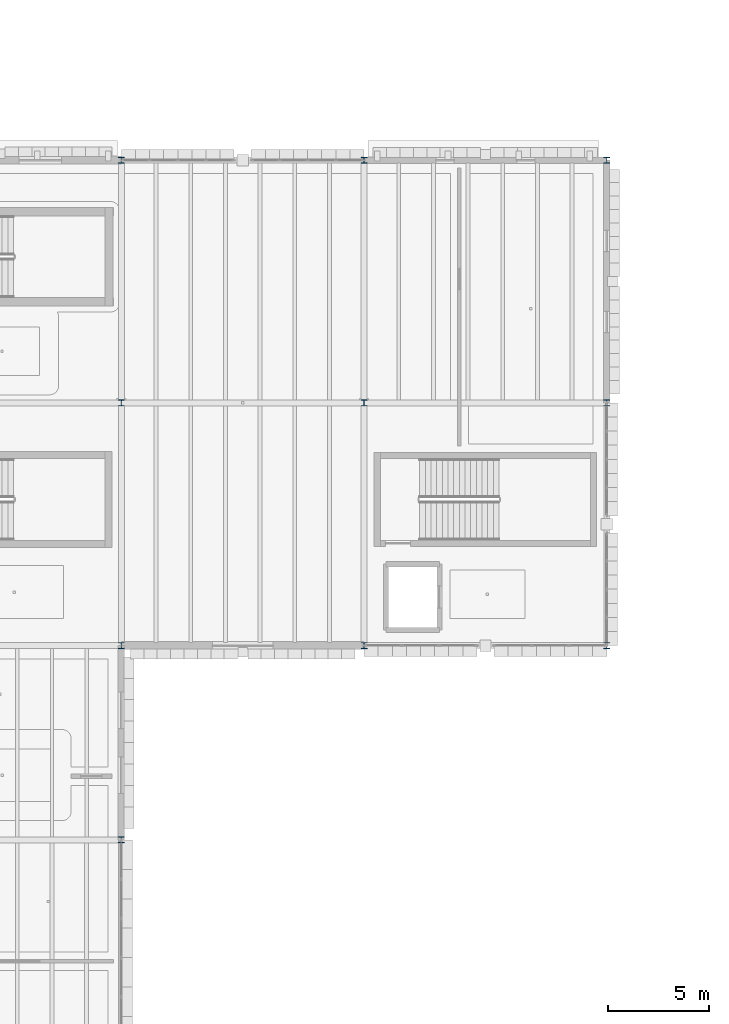
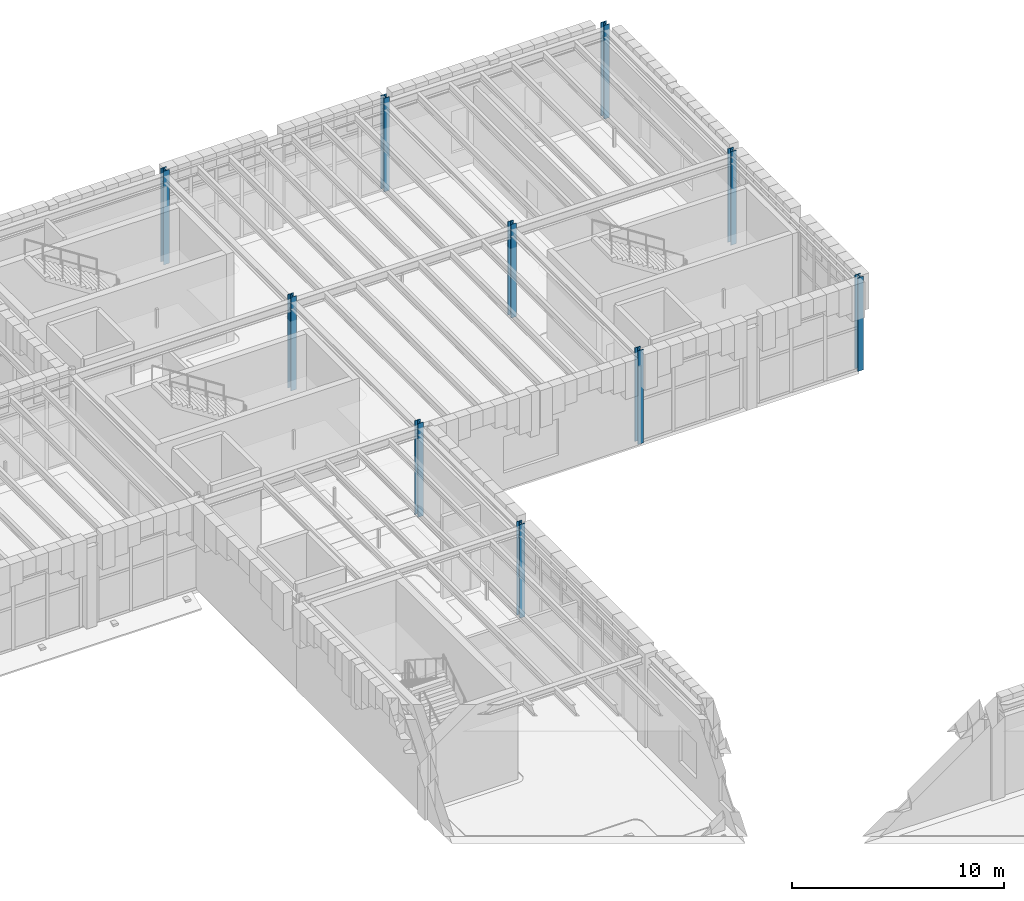
# One storey, part 13 of 100: 10 columns.
"""IFC4 building model written with IfcOpenShell, lengths in metres."""

import ifcopenshell
import ifcopenshell.guid

model = None  # the IFC model being written
_history = None  # IfcOwnerHistory: only IFC2X3 demands one
_inside = {}  # id of a spatial element -> (the spatial element, [elements in it])
_under = {}  # id of a project, library or spatial element -> (it, [spatial elements below it])
_declared = {}  # id of a project -> (the project, [libraries it declares])
_typed = {}  # id of a type object -> (the type object, [elements of that type])
_made_of = {}  # id of a material, layer set ... -> (it, [elements and type objects made of it])


def new_model(schema):
    """Start an empty IFC model of exactly this schema.

    Asked for "IFC4X3", IfcOpenShell would pick the latest addendum, in which some entities
    have other attributes; the version numbers below select the first issue.
    IFC2X3 requires an IfcOwnerHistory on every rooted entity: one is made here for all.
    """
    global model, _history
    if schema == "IFC4X3":
        model = ifcopenshell.file(schema_version=(4, 3, 0, 0))
    else:
        model = ifcopenshell.file(schema=schema)
    _inside.clear()
    _under.clear()
    _declared.clear()
    _typed.clear()
    _made_of.clear()
    _history = None
    if model.schema == "IFC2X3":
        org = make("IfcOrganization", Name="unknown")
        user = make(
            "IfcPersonAndOrganization",
            ThePerson=make("IfcPerson", FamilyName="unknown"),
            TheOrganization=org,
        )
        app = make(
            "IfcApplication",
            ApplicationDeveloper=org,
            Version="unknown",
            ApplicationFullName="unknown",
            ApplicationIdentifier="unknown",
        )
        _history = make(
            "IfcOwnerHistory",
            OwningUser=user,
            OwningApplication=app,
            ChangeAction="ADDED",
            CreationDate=0,
        )
    return model


def make(cls, **values):
    """One entity of the class cls with the attributes given. An attribute that is None is left unset."""
    return model.create_entity(
        cls, **{name: value for name, value in values.items() if value is not None}
    )


def rooted(cls, **values):
    """An entity with a GlobalId (a new one), such as an element, a storey or a relation."""
    return make(cls, GlobalId=ifcopenshell.guid.new(), OwnerHistory=_history, **values)


def si_unit(unit_type, name, prefix=None):
    """IfcSIUnit, for example si_unit("LENGTHUNIT", "METRE", prefix="MILLI")."""
    return make("IfcSIUnit", UnitType=unit_type, Prefix=prefix, Name=name)


def assignment(units):
    """IfcUnitAssignment: the units of a project."""
    return None if units is None else make("IfcUnitAssignment", Units=units)


def point(xyz):
    """IfcCartesianPoint."""
    return None if xyz is None else make("IfcCartesianPoint", Coordinates=xyz)


def direction(xyz):
    """IfcDirection."""
    return None if xyz is None else make("IfcDirection", DirectionRatios=xyz)


def frame(location, z_axis=None, x_axis=None):
    """IfcAxis2Placement3D, a coordinate frame: its origin and axes. An axis left out is left unset."""
    return make(
        "IfcAxis2Placement3D",
        Location=point(location),
        Axis=direction(z_axis),
        RefDirection=direction(x_axis),
    )


def frame_2d(location, x_axis=None):
    """IfcAxis2Placement2D, a coordinate frame in the plane: its origin and x axis."""
    return make(
        "IfcAxis2Placement2D", Location=point(location), RefDirection=direction(x_axis)
    )


def origin():
    """The frame at (0, 0, 0) with its axes left unset."""
    return frame((0.0, 0.0, 0.0))


def origin_2d():
    """The frame at (0, 0) in the plane with its x axis left unset."""
    return frame_2d((0.0, 0.0))


def place(relative_to, where):
    """IfcLocalPlacement: puts the frame where relative to a parent placement (None: the world)."""
    return make(
        "IfcLocalPlacement", PlacementRelTo=relative_to, RelativePlacement=where
    )


def context(
    kind, dimensions, precision=None, world=None, true_north=None, identifier=None
):
    """IfcGeometricRepresentationContext, for example the 3D "Model" context."""
    return make(
        "IfcGeometricRepresentationContext",
        ContextIdentifier=identifier,
        ContextType=kind,
        CoordinateSpaceDimension=dimensions,
        Precision=precision,
        WorldCoordinateSystem=world,
        TrueNorth=true_north,
    )


def subcontext(parent, identifier, kind, view, scale=None):
    """IfcGeometricRepresentationSubContext, for example "Body" below "Model"."""
    return make(
        "IfcGeometricRepresentationSubContext",
        ContextIdentifier=identifier,
        ContextType=kind,
        ParentContext=parent,
        TargetScale=scale,
        TargetView=view,
    )


def project(units=None, contexts=None):
    """IfcProject with its units and contexts."""
    return rooted(
        "IfcProject",
        Name="project",
        RepresentationContexts=contexts,
        UnitsInContext=assignment(units),
    )


def spatial(cls, under=None, at=None, **own):
    """A site, building, storey or space (cls), placed at a placement, below another one or the project."""
    s = rooted(cls, ObjectPlacement=at, **own)
    if under is not None:
        _under.setdefault(under.id(), (under, []))[1].append(s)
    return s


def profile(cls, at=None, kind="AREA", **sizes):
    """A parametric profile (cls). Its sizes go by their IFC names, for example OverallWidth=200.0."""
    return make(cls, ProfileType=kind, Position=at, **sizes)


def i_section(**sizes):
    """IfcIShapeProfileDef."""
    return profile("IfcIShapeProfileDef", **sizes)


def extrude(swept, where, along, depth):
    """IfcExtrudedAreaSolid: the profile swept, set in the frame where, extruded along a direction by depth."""
    return make(
        "IfcExtrudedAreaSolid",
        SweptArea=swept,
        Position=where,
        ExtrudedDirection=direction(along),
        Depth=depth,
    )


def shape(context_of_items, identifier, shape_type, items):
    """IfcShapeRepresentation: the items that make up one representation, for example the "Body"."""
    return make(
        "IfcShapeRepresentation",
        ContextOfItems=context_of_items,
        RepresentationIdentifier=identifier,
        RepresentationType=shape_type,
        Items=items,
    )


def material(Name=None, Category=None):
    """IfcMaterial."""
    return make("IfcMaterial", Name=Name, Category=Category)


def material_profile(
    of_material, cross_section, Name=None, Category=None, Priority=None
):
    """IfcMaterialProfile: a cross section and its material."""
    return make(
        "IfcMaterialProfile",
        Name=Name,
        Material=of_material,
        Profile=cross_section,
        Priority=Priority,
        Category=Category,
    )


def profile_set(profiles, Name=None, composite=None):
    """IfcMaterialProfileSet."""
    return make(
        "IfcMaterialProfileSet",
        Name=Name,
        MaterialProfiles=profiles,
        CompositeProfile=composite,
    )


def made_of(thing, what):
    """Note that an element or type object is made of a material, layer set ...; save() writes the relation."""
    if what is not None:
        _made_of.setdefault(what.id(), (what, []))[1].append(thing)
    return thing


def type_object(cls, material=None, **own):
    """A type object (cls), such as IfcWallType, which elements share."""
    return made_of(rooted(cls, **own), material)


def element(
    cls,
    number,
    at=None,
    inside=None,
    cuts=None,
    type_object=None,
    material=None,
    context=None,
    identifier="Body",
    shape_type=None,
    held_by="IfcProductDefinitionShape",
    body=None,
    shapes=None,
    **own,
):
    """One element of the class cls, such as IfcWall. Its Tag is "e" and its number.

    at: its placement. inside: the storey or other place that contains it. cuts: it is an
    opening in that element (IfcRelVoidsElement). A single representation is given by context,
    identifier, shape_type and body (its items); several are given by shapes. held_by: the class
    of the entity that holds the representations. save() writes the other relations.
    """
    e = rooted(cls, Tag="e%d" % number, ObjectPlacement=at, **own)
    if body is not None:
        shapes = [shape(context, identifier, shape_type, body)]
    if shapes is not None:
        e.Representation = make(held_by, Representations=shapes)
    if inside is not None:
        _inside.setdefault(inside.id(), (inside, []))[1].append(e)
    if cuts is not None:
        rooted(
            "IfcRelVoidsElement", RelatingBuildingElement=cuts, RelatedOpeningElement=e
        )
    if type_object is not None:
        _typed.setdefault(type_object.id(), (type_object, []))[1].append(e)
    return made_of(e, material)


def aggregate(whole, parts):
    """IfcRelAggregates: a whole, such as a stair, and the parts it consists of."""
    return rooted("IfcRelAggregates", RelatingObject=whole, RelatedObjects=parts)


def save(model, path):
    """Write the relations noted so far, then the file.

    IfcRelAggregates (storeys below a building ...), IfcRelContainedInSpatialStructure (elements
    in a storey), IfcRelDefinesByType, IfcRelAssociatesMaterial and IfcRelDeclares: one each for
    every whole, place, type object, material and project.
    """
    for whole, parts in _under.values():
        aggregate(whole, parts)
    for where, things in _inside.values():
        rooted(
            "IfcRelContainedInSpatialStructure",
            RelatedElements=things,
            RelatingStructure=where,
        )
    for kind, things in _typed.values():
        rooted("IfcRelDefinesByType", RelatedObjects=things, RelatingType=kind)
    for what, things in _made_of.values():
        rooted("IfcRelAssociatesMaterial", RelatedObjects=things, RelatingMaterial=what)
    for by, libraries in _declared.values():
        rooted("IfcRelDeclares", RelatingContext=by, RelatedDefinitions=libraries)
    model.write(path)


model = new_model("IFC4")

# Units and contexts
model_context = context("Model", 3, precision=1e-05, world=origin(), true_north=direction((0.0, 1.0)))
body_context = subcontext(model_context, "Body", "Model", "MODEL_VIEW")
ifc_project = project(units=[si_unit("LENGTHUNIT", "METRE"), si_unit("AREAUNIT", "SQUARE_METRE"), si_unit("VOLUMEUNIT", "CUBIC_METRE"), si_unit("PLANEANGLEUNIT", "RADIAN"), si_unit("MASSUNIT", "GRAM", prefix="KILO")], contexts=[model_context])

# Site, building, storey
site_placement = place(None, origin())
site = spatial("IfcSite", under=ifc_project, at=site_placement, CompositionType="ELEMENT")
building_placement = place(site_placement, origin())
building = spatial("IfcBuilding", under=site, at=building_placement, Name="Zlatogorsky Bluff Art Gallery", CompositionType="ELEMENT")
storey_placement = place(building_placement, frame((0.0, 0.0, 5.39990234375)))
storey = spatial("IfcBuildingStorey", under=building, at=storey_placement, Name="L01", CompositionType="ELEMENT", Elevation=5.39990234375)

# Columns
ifc_material = material(Name="Steel S355", Category="steel")
ifc_material_profile = material_profile(ifc_material, i_section(OverallWidth=0.300048828125, OverallDepth=0.300048828125, WebThickness=0.010986328125, FlangeThickness=0.01904296875, FilletRadius=0.027099609375, at=origin_2d()), Name="HEB 300")
ifc_profile_set = profile_set([ifc_material_profile], Name="Steel S355")
column_type = type_object("IfcColumnType", Name="Column CL-06 HEB 300", PredefinedType="COLUMN", material=ifc_profile_set)
for number, where, z_axis, x_axis, name in (
    (1, (132.0, 74.39990234375, 0.0), (0.0, 0.0, 1.0), (1.0, 0.0, 0.0), "Column CL-06 L01 M8"),
    (2, (132.0, 84.0, 0.0), (0.0, 0.0, 1.0), (1.0, 0.0, 0.0), "Column CL-06 L01 M9"),
    (3, (132.0, 96.0, 0.0), (0.0, 0.0, 1.0), (1.0, 0.0, 0.0), "Column CL-06 L01 M10"),
    (4, (132.0, 108.0, 0.0), (0.0, 0.0, 1.0), (1.0, 0.0, 0.0), "Column CL-06 L01 M11"),
    (5, (144.0, 84.0, 0.0), (0.0, 0.0, 1.0), (1.0, 0.0, 0.0), "Column CL-06 L01 N9"),
    (6, (144.0, 96.0, 0.0), (0.0, 0.0, 1.0), (1.0, 0.0, 0.0), "Column CL-06 L01 N10"),
    (7, (144.0, 108.0, 0.0), (0.0, 0.0, 1.0), (1.0, 0.0, 0.0), "Column CL-06 L01 N11"),
    (8, (156.0, 84.0, 0.0), (0.0, 0.0, 1.0), (1.0, 0.0, 0.0), "Column CL-06 L01 P9"),
    (9, (156.0, 96.0, 0.0), (0.0, 0.0, 1.0), (1.0, 0.0, 0.0), "Column CL-06 L01 P10"),
    (10, (156.0, 108.0, 0.0), (0.0, 0.0, 1.0), (1.0, 0.0, 0.0), "Column CL-06 L01 P11"),
):
    element("IfcColumn", number, at=place(storey_placement, frame(where, z_axis=z_axis, x_axis=x_axis)), inside=storey, type_object=column_type, Name=name, PredefinedType="COLUMN", context=body_context, shape_type="SweptSolid", body=[
        extrude(i_section(OverallWidth=0.300048828125, OverallDepth=0.300048828125, WebThickness=0.010986328125, FlangeThickness=0.01904296875, FilletRadius=0.027099609375, at=origin_2d()), origin(), (0.0, 0.0, 1.0), 5.400146484375),
    ])

save(model, "model.ifc")
